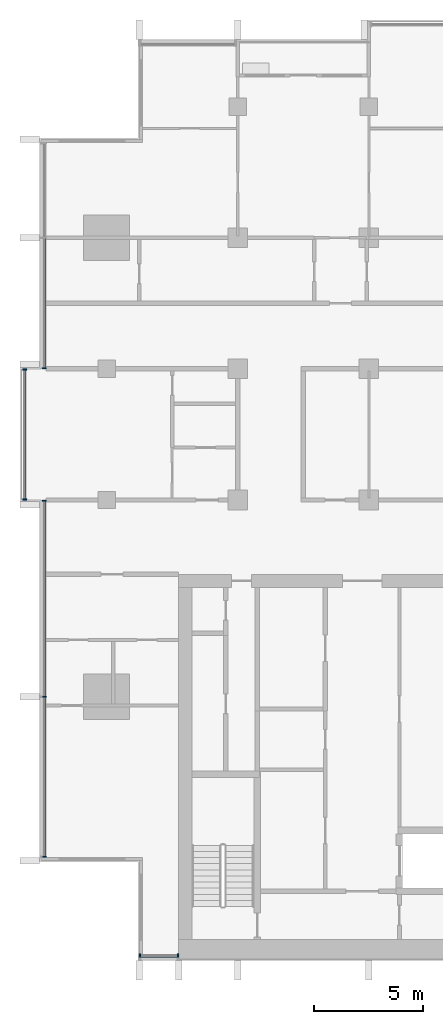
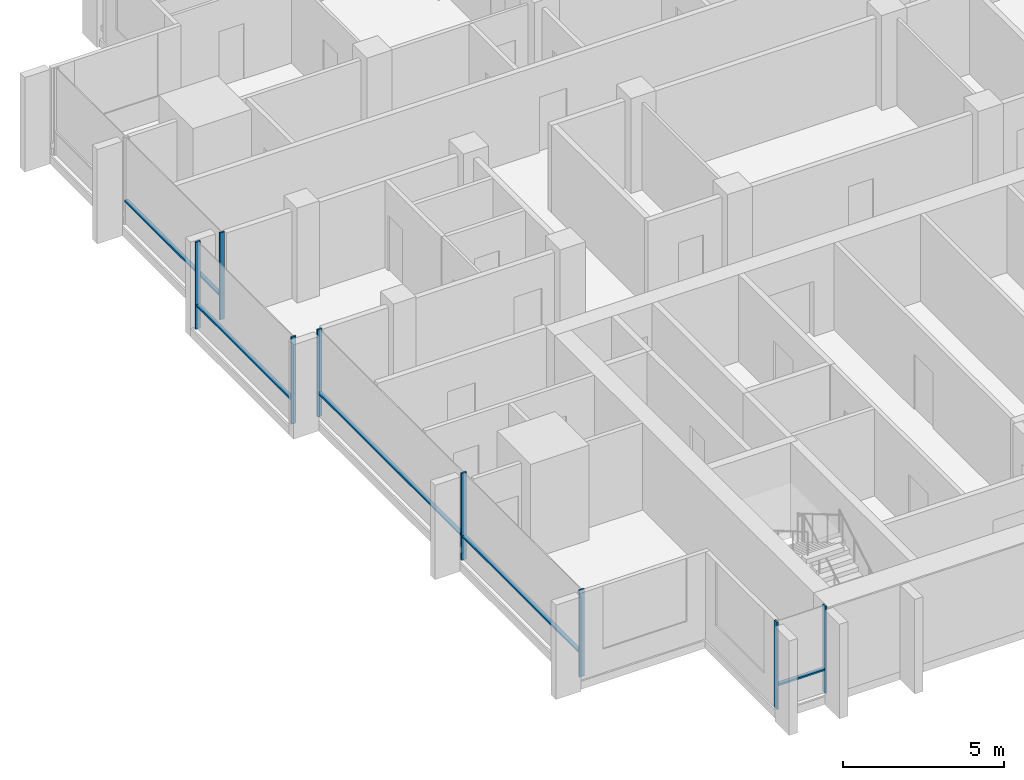
# One storey, part 2 of 15: 13 members, 4 elements without a shape of their own.
"""IFC4 building model written with IfcOpenShell, lengths in metres."""

from ifc_helpers import new_model, si_unit, direction, frame, origin, origin_2d, place, context, subcontext, project, spatial, rectangle, extrude, material, material_profile, profile_set, type_object, element, aggregate, save


model = new_model("IFC4")

# Units and contexts
model_context = context("Model", 3, precision=1e-05, world=origin(), true_north=direction((0.0, 1.0)))
body_context = subcontext(model_context, "Body", "Model", "MODEL_VIEW")
ifc_project = project(units=[si_unit("LENGTHUNIT", "METRE"), si_unit("AREAUNIT", "SQUARE_METRE"), si_unit("VOLUMEUNIT", "CUBIC_METRE"), si_unit("PLANEANGLEUNIT", "RADIAN"), si_unit("MASSUNIT", "GRAM", prefix="KILO")], contexts=[model_context])

# Site, building, storey
site_placement = place(None, origin())
site = spatial("IfcSite", under=ifc_project, at=site_placement, CompositionType="ELEMENT")
building_placement = place(site_placement, origin())
building = spatial("IfcBuilding", under=site, at=building_placement, Name="Finial Court Residences", CompositionType="ELEMENT")
storey_placement = place(building_placement, frame((0.0, 0.0, 226.699951171875)))
storey = spatial("IfcBuildingStorey", under=building, at=storey_placement, Name="L57", CompositionType="ELEMENT", Elevation=226.699951171875)

# Curtain wall, members
ifc_material = material(Name="Bronze anodised aluminium", Category="aluminium")
curtain_wall_type = type_object("IfcCurtainWallType", Name="Unitised curtain wall, upper zones", PredefinedType="NOTDEFINED", material=ifc_material)
curtain_wall_1_placement = place(storey_placement, origin())
curtain_wall_1 = element("IfcCurtainWall", 1, at=curtain_wall_1_placement, inside=storey, type_object=curtain_wall_type, Name="E-L57-CW-S7", PredefinedType="NOTDEFINED")
ifc_material_profile_1 = material_profile(ifc_material, rectangle(XDim=0.175048828125, YDim=0.06005859375, at=origin_2d()), Name="CW2 mullion 60 x 175")
ifc_profile_set_1 = profile_set([ifc_material_profile_1], Name="Bronze anodised aluminium")
member_type_1 = type_object("IfcMemberType", Name="CW2 mullion 60 x 175", PredefinedType="MULLION", material=ifc_profile_set_1)
member_1_placement = place(storey_placement, frame((-14.969970703125, -25.35009765625, 0.0), z_axis=(0.0, 0.0, 1.0), x_axis=(0.0, 1.0, 0.0)))
member_1 = element("IfcMember", 2, at=member_1_placement, type_object=member_type_1, Name="CW2 mullion 1", PredefinedType="MULLION", context=body_context, shape_type="SweptSolid", body=[
    extrude(rectangle(XDim=0.175048828125, YDim=0.06005859375, at=origin_2d()), origin(), (0.0, 0.0, 1.0), 3.300048828125),
])
member_2_placement = place(storey_placement, frame((-13.22998046875, -25.35009765625, 0.0), z_axis=(0.0, 0.0, 1.0), x_axis=(0.0, 1.0, 0.0)))
member_2 = element("IfcMember", 3, at=member_2_placement, type_object=member_type_1, Name="CW2 mullion 2", PredefinedType="MULLION", context=body_context, shape_type="SweptSolid", body=[
    extrude(rectangle(XDim=0.175048828125, YDim=0.06005859375, at=origin_2d()), origin(), (0.0, 0.0, 1.0), 3.300048828125),
])

curtain_wall_2_placement = place(storey_placement, origin())
curtain_wall_2 = element("IfcCurtainWall", 4, at=curtain_wall_2_placement, inside=storey, type_object=curtain_wall_type, Name="E-L57-CW-W9", PredefinedType="NOTDEFINED")
member_3_placement = place(storey_placement, frame((-19.35009765625, -20.820068359375, 0.0), z_axis=(0.0, 0.0, 1.0), x_axis=(-1.0, 0.0, 0.0)))
member_3 = element("IfcMember", 5, at=member_3_placement, type_object=member_type_1, Name="CW2 mullion 1", PredefinedType="MULLION", context=body_context, shape_type="SweptSolid", body=[
    extrude(rectangle(XDim=0.175048828125, YDim=0.06005859375, at=origin_2d()), origin(), (0.0, 0.0, 1.0), 3.300048828125),
])
member_4_placement = place(storey_placement, frame((-19.35009765625, -13.5, 0.0), z_axis=(0.0, 0.0, 1.0), x_axis=(-1.0, 0.0, 0.0)))
member_4 = element("IfcMember", 6, at=member_4_placement, type_object=member_type_1, Name="CW2 mullion 2", PredefinedType="MULLION", context=body_context, shape_type="SweptSolid", body=[
    extrude(rectangle(XDim=0.175048828125, YDim=0.06005859375, at=origin_2d()), origin(), (0.0, 0.0, 1.0), 3.300048828125),
])
member_5_placement = place(storey_placement, frame((-19.35009765625, -4.530029296875, 0.0), z_axis=(0.0, 0.0, 1.0), x_axis=(-1.0, 0.0, 0.0)))
member_5 = element("IfcMember", 7, at=member_5_placement, type_object=member_type_1, Name="CW2 mullion 3", PredefinedType="MULLION", context=body_context, shape_type="SweptSolid", body=[
    extrude(rectangle(XDim=0.175048828125, YDim=0.06005859375, at=origin_2d()), origin(), (0.0, 0.0, 1.0), 3.300048828125),
])

curtain_wall_3_placement = place(storey_placement, origin())
curtain_wall_3 = element("IfcCurtainWall", 8, at=curtain_wall_3_placement, inside=storey, type_object=curtain_wall_type, Name="E-L57-CW-W10", PredefinedType="NOTDEFINED")
member_6_placement = place(storey_placement, frame((-20.25, -4.469970703125, 0.0), z_axis=(0.0, 0.0, 1.0), x_axis=(-1.0, 0.0, 0.0)))
member_6 = element("IfcMember", 9, at=member_6_placement, type_object=member_type_1, Name="CW2 mullion 1", PredefinedType="MULLION", context=body_context, shape_type="SweptSolid", body=[
    extrude(rectangle(XDim=0.175048828125, YDim=0.06005859375, at=origin_2d()), origin(), (0.0, 0.0, 1.0), 3.300048828125),
])
member_7_placement = place(storey_placement, frame((-20.25, 1.469970703125, 0.0), z_axis=(0.0, 0.0, 1.0), x_axis=(-1.0, 0.0, 0.0)))
member_7 = element("IfcMember", 10, at=member_7_placement, type_object=member_type_1, Name="CW2 mullion 2", PredefinedType="MULLION", context=body_context, shape_type="SweptSolid", body=[
    extrude(rectangle(XDim=0.175048828125, YDim=0.06005859375, at=origin_2d()), origin(), (0.0, 0.0, 1.0), 3.300048828125),
])

# Curtain wall, member
curtain_wall_4_placement = place(storey_placement, origin())
curtain_wall_4 = element("IfcCurtainWall", 11, at=curtain_wall_4_placement, inside=storey, type_object=curtain_wall_type, Name="E-L57-CW-W11", PredefinedType="NOTDEFINED")
member_8_placement = place(storey_placement, frame((-19.35009765625, 1.530029296875, 0.0), z_axis=(0.0, 0.0, 1.0), x_axis=(-1.0, 0.0, 0.0)))
member_8 = element("IfcMember", 12, at=member_8_placement, type_object=member_type_1, Name="CW2 mullion 1", PredefinedType="MULLION", context=body_context, shape_type="SweptSolid", body=[
    extrude(rectangle(XDim=0.175048828125, YDim=0.06005859375, at=origin_2d()), origin(), (0.0, 0.0, 1.0), 3.300048828125),
])

# Member
ifc_material_profile_2 = material_profile(ifc_material, rectangle(XDim=0.139892578125, YDim=0.06005859375, at=origin_2d()), Name="CW2 transom 60 x 140")
ifc_profile_set_2 = profile_set([ifc_material_profile_2], Name="Bronze anodised aluminium")
member_type_2 = type_object("IfcMemberType", Name="CW2 transom 60 x 140", PredefinedType="USERDEFINED", material=ifc_profile_set_2)
member_9_placement = place(storey_placement, frame((-14.93994140625, -25.35009765625, 0.900146484375), z_axis=(1.0, 0.0, 0.0), x_axis=(0.0, 1.0, 0.0)))
member_9 = element("IfcMember", 13, at=member_9_placement, type_object=member_type_2, Name="CW2 transom 1.1", ObjectType="TRANSOM", PredefinedType="USERDEFINED", context=body_context, shape_type="SweptSolid", body=[
    extrude(rectangle(XDim=0.139892578125, YDim=0.06005859375, at=origin_2d()), origin(), (0.0, 0.0, 1.0), 1.679931640625),
])

aggregate(curtain_wall_1, [member_1, member_2, member_9])

member_10_placement = place(storey_placement, frame((-19.35009765625, -20.7900390625, 0.900146484375), z_axis=(0.0, 1.0, 0.0), x_axis=(-1.0, 0.0, 0.0)))
member_10 = element("IfcMember", 14, at=member_10_placement, type_object=member_type_2, Name="CW2 transom 1.1", ObjectType="TRANSOM", PredefinedType="USERDEFINED", context=body_context, shape_type="SweptSolid", body=[
    extrude(rectangle(XDim=0.139892578125, YDim=0.06005859375, at=origin_2d()), origin(), (0.0, 0.0, 1.0), 7.260009765625),
])

member_11_placement = place(storey_placement, frame((-19.35009765625, -13.469970703125, 0.900146484375), z_axis=(0.0, 1.0, 0.0), x_axis=(-1.0, 0.0, 0.0)))
member_11 = element("IfcMember", 15, at=member_11_placement, type_object=member_type_2, Name="CW2 transom 2.1", ObjectType="TRANSOM", PredefinedType="USERDEFINED", context=body_context, shape_type="SweptSolid", body=[
    extrude(rectangle(XDim=0.139892578125, YDim=0.06005859375, at=origin_2d()), origin(), (0.0, 0.0, 1.0), 8.909912109375),
])

aggregate(curtain_wall_2, [member_3, member_4, member_5, member_10, member_11])

member_12_placement = place(storey_placement, frame((-20.25, -4.43994140625, 0.900146484375), z_axis=(0.0, 1.0, 0.0), x_axis=(-1.0, 0.0, 0.0)))
member_12 = element("IfcMember", 16, at=member_12_placement, type_object=member_type_2, Name="CW2 transom 1.1", ObjectType="TRANSOM", PredefinedType="USERDEFINED", context=body_context, shape_type="SweptSolid", body=[
    extrude(rectangle(XDim=0.139892578125, YDim=0.06005859375, at=origin_2d()), origin(), (0.0, 0.0, 1.0), 5.8798828125),
])

aggregate(curtain_wall_3, [member_6, member_7, member_12])

member_13_placement = place(storey_placement, frame((-19.35009765625, 1.56005859375, 0.900146484375), z_axis=(0.0, 1.0, 0.0), x_axis=(-1.0, 0.0, 0.0)))
member_13 = element("IfcMember", 17, at=member_13_placement, type_object=member_type_2, Name="CW2 transom 1.1", ObjectType="TRANSOM", PredefinedType="USERDEFINED", context=body_context, shape_type="SweptSolid", body=[
    extrude(rectangle(XDim=0.139892578125, YDim=0.06005859375, at=origin_2d()), origin(), (0.0, 0.0, 1.0), 5.909912109375),
])

aggregate(curtain_wall_4, [member_8, member_13])

save(model, "model.ifc")
